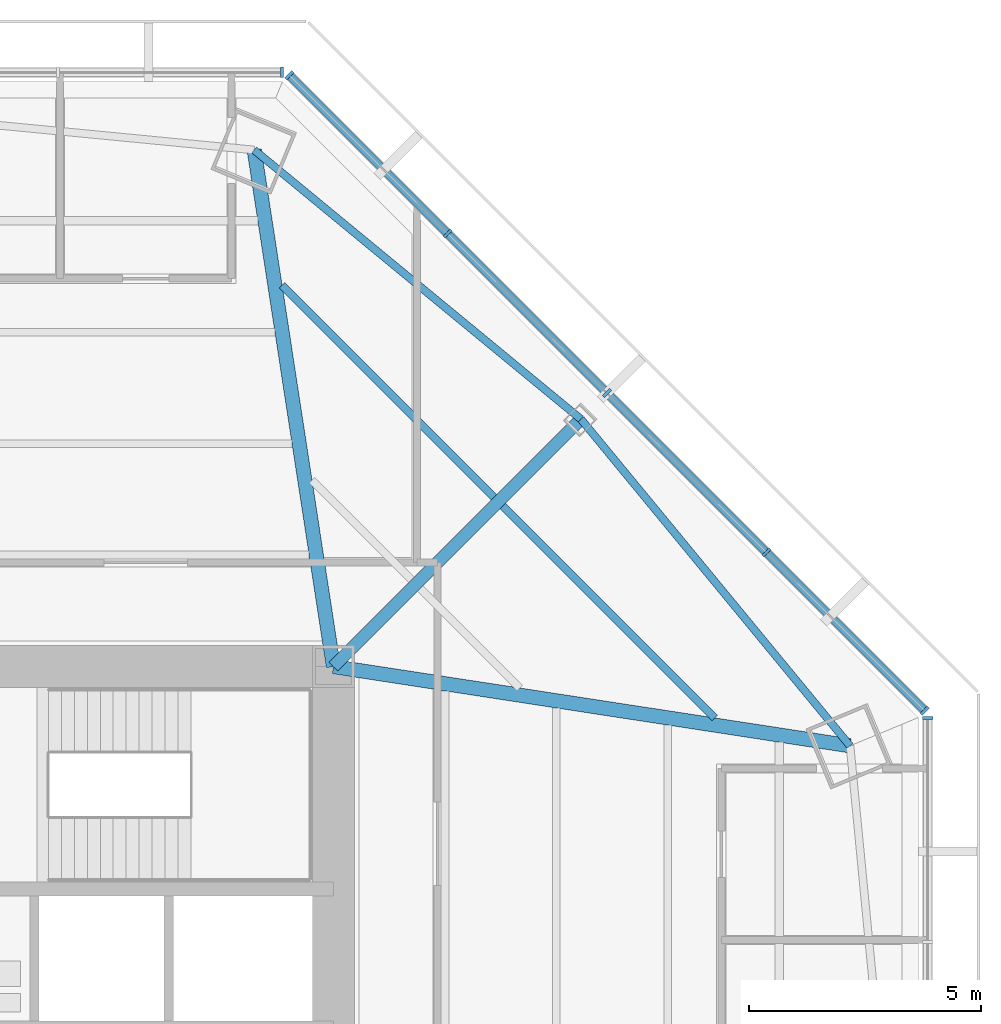
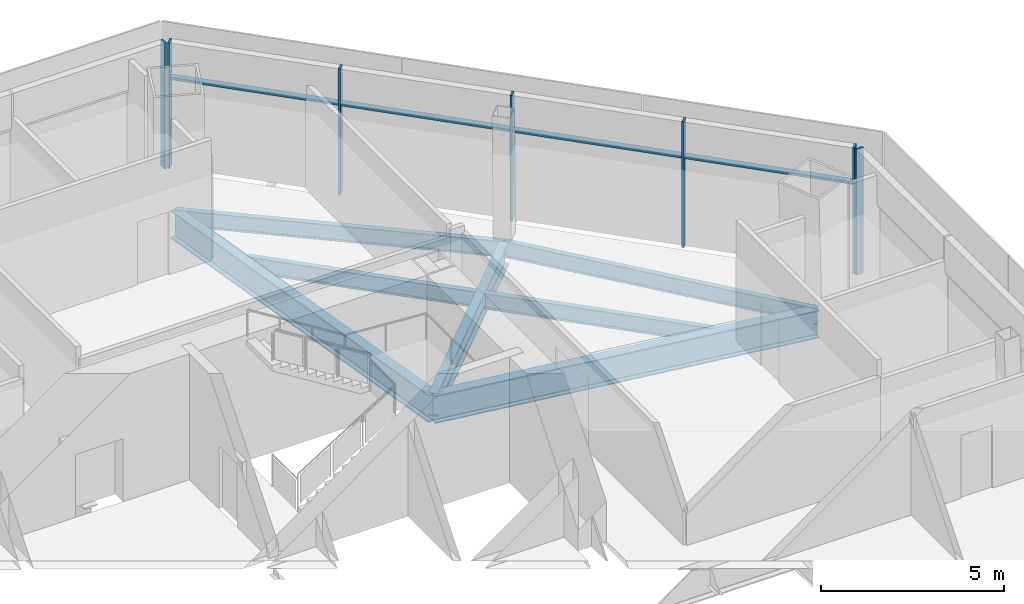
# One storey, part 6 of 15: 11 members, 7 beams, 3 elements without a shape of their own.
"""IFC4 building model written with IfcOpenShell, lengths in metres."""

import ifcopenshell
import ifcopenshell.guid

model = None  # the IFC model being written
_history = None  # IfcOwnerHistory: only IFC2X3 demands one
_inside = {}  # id of a spatial element -> (the spatial element, [elements in it])
_under = {}  # id of a project, library or spatial element -> (it, [spatial elements below it])
_declared = {}  # id of a project -> (the project, [libraries it declares])
_typed = {}  # id of a type object -> (the type object, [elements of that type])
_made_of = {}  # id of a material, layer set ... -> (it, [elements and type objects made of it])


def new_model(schema):
    """Start an empty IFC model of exactly this schema.

    Asked for "IFC4X3", IfcOpenShell would pick the latest addendum, in which some entities
    have other attributes; the version numbers below select the first issue.
    IFC2X3 requires an IfcOwnerHistory on every rooted entity: one is made here for all.
    """
    global model, _history
    if schema == "IFC4X3":
        model = ifcopenshell.file(schema_version=(4, 3, 0, 0))
    else:
        model = ifcopenshell.file(schema=schema)
    _inside.clear()
    _under.clear()
    _declared.clear()
    _typed.clear()
    _made_of.clear()
    _history = None
    if model.schema == "IFC2X3":
        org = make("IfcOrganization", Name="unknown")
        user = make(
            "IfcPersonAndOrganization",
            ThePerson=make("IfcPerson", FamilyName="unknown"),
            TheOrganization=org,
        )
        app = make(
            "IfcApplication",
            ApplicationDeveloper=org,
            Version="unknown",
            ApplicationFullName="unknown",
            ApplicationIdentifier="unknown",
        )
        _history = make(
            "IfcOwnerHistory",
            OwningUser=user,
            OwningApplication=app,
            ChangeAction="ADDED",
            CreationDate=0,
        )
    return model


def make(cls, **values):
    """One entity of the class cls with the attributes given. An attribute that is None is left unset."""
    return model.create_entity(
        cls, **{name: value for name, value in values.items() if value is not None}
    )


def rooted(cls, **values):
    """An entity with a GlobalId (a new one), such as an element, a storey or a relation."""
    return make(cls, GlobalId=ifcopenshell.guid.new(), OwnerHistory=_history, **values)


def si_unit(unit_type, name, prefix=None):
    """IfcSIUnit, for example si_unit("LENGTHUNIT", "METRE", prefix="MILLI")."""
    return make("IfcSIUnit", UnitType=unit_type, Prefix=prefix, Name=name)


def assignment(units):
    """IfcUnitAssignment: the units of a project."""
    return None if units is None else make("IfcUnitAssignment", Units=units)


def point(xyz):
    """IfcCartesianPoint."""
    return None if xyz is None else make("IfcCartesianPoint", Coordinates=xyz)


def direction(xyz):
    """IfcDirection."""
    return None if xyz is None else make("IfcDirection", DirectionRatios=xyz)


def frame(location, z_axis=None, x_axis=None):
    """IfcAxis2Placement3D, a coordinate frame: its origin and axes. An axis left out is left unset."""
    return make(
        "IfcAxis2Placement3D",
        Location=point(location),
        Axis=direction(z_axis),
        RefDirection=direction(x_axis),
    )


def frame_2d(location, x_axis=None):
    """IfcAxis2Placement2D, a coordinate frame in the plane: its origin and x axis."""
    return make(
        "IfcAxis2Placement2D", Location=point(location), RefDirection=direction(x_axis)
    )


def origin():
    """The frame at (0, 0, 0) with its axes left unset."""
    return frame((0.0, 0.0, 0.0))


def origin_2d():
    """The frame at (0, 0) in the plane with its x axis left unset."""
    return frame_2d((0.0, 0.0))


def place(relative_to, where):
    """IfcLocalPlacement: puts the frame where relative to a parent placement (None: the world)."""
    return make(
        "IfcLocalPlacement", PlacementRelTo=relative_to, RelativePlacement=where
    )


def context(
    kind, dimensions, precision=None, world=None, true_north=None, identifier=None
):
    """IfcGeometricRepresentationContext, for example the 3D "Model" context."""
    return make(
        "IfcGeometricRepresentationContext",
        ContextIdentifier=identifier,
        ContextType=kind,
        CoordinateSpaceDimension=dimensions,
        Precision=precision,
        WorldCoordinateSystem=world,
        TrueNorth=true_north,
    )


def subcontext(parent, identifier, kind, view, scale=None):
    """IfcGeometricRepresentationSubContext, for example "Body" below "Model"."""
    return make(
        "IfcGeometricRepresentationSubContext",
        ContextIdentifier=identifier,
        ContextType=kind,
        ParentContext=parent,
        TargetScale=scale,
        TargetView=view,
    )


def project(units=None, contexts=None):
    """IfcProject with its units and contexts."""
    return rooted(
        "IfcProject",
        Name="project",
        RepresentationContexts=contexts,
        UnitsInContext=assignment(units),
    )


def spatial(cls, under=None, at=None, **own):
    """A site, building, storey or space (cls), placed at a placement, below another one or the project."""
    s = rooted(cls, ObjectPlacement=at, **own)
    if under is not None:
        _under.setdefault(under.id(), (under, []))[1].append(s)
    return s


def profile(cls, at=None, kind="AREA", **sizes):
    """A parametric profile (cls). Its sizes go by their IFC names, for example OverallWidth=200.0."""
    return make(cls, ProfileType=kind, Position=at, **sizes)


def rectangle(**sizes):
    """IfcRectangleProfileDef."""
    return profile("IfcRectangleProfileDef", **sizes)


def i_section(**sizes):
    """IfcIShapeProfileDef."""
    return profile("IfcIShapeProfileDef", **sizes)


def extrude(swept, where, along, depth):
    """IfcExtrudedAreaSolid: the profile swept, set in the frame where, extruded along a direction by depth."""
    return make(
        "IfcExtrudedAreaSolid",
        SweptArea=swept,
        Position=where,
        ExtrudedDirection=direction(along),
        Depth=depth,
    )


def shape(context_of_items, identifier, shape_type, items):
    """IfcShapeRepresentation: the items that make up one representation, for example the "Body"."""
    return make(
        "IfcShapeRepresentation",
        ContextOfItems=context_of_items,
        RepresentationIdentifier=identifier,
        RepresentationType=shape_type,
        Items=items,
    )


def source(mapping_origin, context_of_items, identifier, shape_type, items):
    """IfcRepresentationMap: a shape defined once, which mapped items show again and again."""
    return make(
        "IfcRepresentationMap",
        MappingOrigin=mapping_origin,
        MappedRepresentation=shape(context_of_items, identifier, shape_type, items),
    )


def transform(
    local_origin,
    x_axis=None,
    y_axis=None,
    z_axis=None,
    scale=None,
    scale2=None,
    scale3=None,
    uniform=True,
):
    """IfcCartesianTransformationOperator3D, or its non-uniform kind. x_axis, y_axis, z_axis: its Axis1, 2, 3."""
    if uniform:
        return make(
            "IfcCartesianTransformationOperator3D",
            Axis1=direction(x_axis),
            Axis2=direction(y_axis),
            LocalOrigin=point(local_origin),
            Scale=scale,
            Axis3=direction(z_axis),
        )
    return make(
        "IfcCartesianTransformationOperator3DnonUniform",
        Axis1=direction(x_axis),
        Axis2=direction(y_axis),
        LocalOrigin=point(local_origin),
        Scale=scale,
        Axis3=direction(z_axis),
        Scale2=scale2,
        Scale3=scale3,
    )


def mapped(mapping_source, mapping_target):
    """IfcMappedItem: shows the shape of a source again, moved by a transform."""
    return make(
        "IfcMappedItem", MappingSource=mapping_source, MappingTarget=mapping_target
    )


def material(Name=None, Category=None):
    """IfcMaterial."""
    return make("IfcMaterial", Name=Name, Category=Category)


def material_profile(
    of_material, cross_section, Name=None, Category=None, Priority=None
):
    """IfcMaterialProfile: a cross section and its material."""
    return make(
        "IfcMaterialProfile",
        Name=Name,
        Material=of_material,
        Profile=cross_section,
        Priority=Priority,
        Category=Category,
    )


def profile_set(profiles, Name=None, composite=None):
    """IfcMaterialProfileSet."""
    return make(
        "IfcMaterialProfileSet",
        Name=Name,
        MaterialProfiles=profiles,
        CompositeProfile=composite,
    )


def made_of(thing, what):
    """Note that an element or type object is made of a material, layer set ...; save() writes the relation."""
    if what is not None:
        _made_of.setdefault(what.id(), (what, []))[1].append(thing)
    return thing


def type_object(cls, material=None, **own):
    """A type object (cls), such as IfcWallType, which elements share."""
    return made_of(rooted(cls, **own), material)


def type_shapes(of_type, sources):
    """Give a type object the sources (RepresentationMaps) that its elements show as mapped items."""
    of_type.RepresentationMaps = sources


def element(
    cls,
    number,
    at=None,
    inside=None,
    cuts=None,
    type_object=None,
    material=None,
    context=None,
    identifier="Body",
    shape_type=None,
    held_by="IfcProductDefinitionShape",
    body=None,
    shapes=None,
    **own,
):
    """One element of the class cls, such as IfcWall. Its Tag is "e" and its number.

    at: its placement. inside: the storey or other place that contains it. cuts: it is an
    opening in that element (IfcRelVoidsElement). A single representation is given by context,
    identifier, shape_type and body (its items); several are given by shapes. held_by: the class
    of the entity that holds the representations. save() writes the other relations.
    """
    e = rooted(cls, Tag="e%d" % number, ObjectPlacement=at, **own)
    if body is not None:
        shapes = [shape(context, identifier, shape_type, body)]
    if shapes is not None:
        e.Representation = make(held_by, Representations=shapes)
    if inside is not None:
        _inside.setdefault(inside.id(), (inside, []))[1].append(e)
    if cuts is not None:
        rooted(
            "IfcRelVoidsElement", RelatingBuildingElement=cuts, RelatedOpeningElement=e
        )
    if type_object is not None:
        _typed.setdefault(type_object.id(), (type_object, []))[1].append(e)
    return made_of(e, material)


def aggregate(whole, parts):
    """IfcRelAggregates: a whole, such as a stair, and the parts it consists of."""
    return rooted("IfcRelAggregates", RelatingObject=whole, RelatedObjects=parts)


def save(model, path):
    """Write the relations noted so far, then the file.

    IfcRelAggregates (storeys below a building ...), IfcRelContainedInSpatialStructure (elements
    in a storey), IfcRelDefinesByType, IfcRelAssociatesMaterial and IfcRelDeclares: one each for
    every whole, place, type object, material and project.
    """
    for whole, parts in _under.values():
        aggregate(whole, parts)
    for where, things in _inside.values():
        rooted(
            "IfcRelContainedInSpatialStructure",
            RelatedElements=things,
            RelatingStructure=where,
        )
    for kind, things in _typed.values():
        rooted("IfcRelDefinesByType", RelatedObjects=things, RelatingType=kind)
    for what, things in _made_of.values():
        rooted("IfcRelAssociatesMaterial", RelatedObjects=things, RelatingMaterial=what)
    for by, libraries in _declared.values():
        rooted("IfcRelDeclares", RelatingContext=by, RelatedDefinitions=libraries)
    model.write(path)


model = new_model("IFC4")

# Units and contexts
model_context = context("Model", 3, precision=1e-05, world=origin(), true_north=direction((0.0, 1.0)))
body_context = subcontext(model_context, "Body", "Model", "MODEL_VIEW")
ifc_project = project(units=[si_unit("LENGTHUNIT", "METRE"), si_unit("AREAUNIT", "SQUARE_METRE"), si_unit("VOLUMEUNIT", "CUBIC_METRE"), si_unit("PLANEANGLEUNIT", "RADIAN"), si_unit("MASSUNIT", "GRAM", prefix="KILO")], contexts=[model_context])

# Site, building, storey
site_placement = place(None, origin())
site = spatial("IfcSite", under=ifc_project, at=site_placement, CompositionType="ELEMENT")
building_placement = place(site_placement, origin())
building = spatial("IfcBuilding", under=site, at=building_placement, Name="Mashrafa Tower", CompositionType="ELEMENT")
storey_placement = place(building_placement, frame((0.0, 0.0, 155.39990234375)))
storey = spatial("IfcBuildingStorey", under=building, at=storey_placement, Name="L35", CompositionType="ELEMENT", Elevation=155.39990234375)

# Beams
ifc_material_1 = material(Name="Steel ASTM A992", Category="steel")
ifc_material_profile_1 = material_profile(ifc_material_1, i_section(OverallWidth=0.1650390625, OverallDepth=0.52587890625, WebThickness=0.0087890625, FlangeThickness=0.011474609375, FilletRadius=0.0126953125, at=origin_2d()), Name="W21X44")
ifc_profile_set_1 = profile_set([ifc_material_profile_1], Name="Steel ASTM A992")
beam_type_1 = type_object("IfcBeamType", Name="Beam W21X44", PredefinedType="BEAM", material=ifc_profile_set_1)
for number, where, z_axis, x_axis, name in (
    (1, (9.693603515625, 19.0244140625, -0.427734375), (0.707106781187, -0.707106781187, 0.0), (0.707106781187, 0.707106781187, 0.0), "Floor beam L35 030"),
    (2, (14.453369140625, 14.2646484375, -0.427734375), (0.707106781187, -0.707106781187, 0.0), (0.707106781187, 0.707106781187, 0.0), "Floor beam L35 040"),
):
    element("IfcBeam", number, at=place(storey_placement, frame(where, z_axis=z_axis, x_axis=x_axis)), inside=storey, type_object=beam_type_1, Name=name, PredefinedType="BEAM", context=body_context, shape_type="SweptSolid", body=[
        extrude(i_section(OverallWidth=0.1650390625, OverallDepth=0.52587890625, WebThickness=0.0087890625, FlangeThickness=0.011474609375, FilletRadius=0.0126953125, at=origin_2d()), origin(), (0.0, 0.0, 1.0), 6.46435546875),
    ])
for number, where, z_axis, x_axis, name in (
    (3, (16.138427734375, 16.138427734375, -0.427734375), (-0.771816010297, 0.635845929647, 0.0), (-0.635845929647, -0.771816010297, 0.0), "Spandrel beam L35 077"),
    (4, (21.945068359375, 9.090087890625, -0.427734375), (-0.635845929647, 0.771816010297, 0.0), (-0.771816010297, -0.635845929647, 0.0), "Spandrel beam L35 079"),
):
    element("IfcBeam", number, at=place(storey_placement, frame(where, z_axis=z_axis, x_axis=x_axis)), inside=storey, type_object=beam_type_1, Name=name, PredefinedType="BEAM", context=body_context, shape_type="SweptSolid", body=[
        extrude(i_section(OverallWidth=0.1650390625, OverallDepth=0.52587890625, WebThickness=0.0087890625, FlangeThickness=0.011474609375, FilletRadius=0.0126953125, at=origin_2d()), origin(), (0.0, 0.0, 1.0), 9.132080078125),
    ])
ifc_material_2 = material(Name="Steel ASTM A992", Category="steel")
ifc_material_profile_2 = material_profile(ifc_material_2, i_section(OverallWidth=0.2666015625, OverallDepth=0.761962890625, WebThickness=0.014404296875, FlangeThickness=0.021484375, FilletRadius=0.0166015625, at=origin_2d()), Name="W30X116")
ifc_profile_set_2 = profile_set([ifc_material_profile_2], Name="Steel ASTM A992")
beam_type_2 = type_object("IfcBeamType", Name="Beam W30X116", PredefinedType="BEAM", material=ifc_profile_set_2)
beam_placement = place(storey_placement, frame((10.800048828125, 10.800048828125, -0.5458984375), z_axis=(0.707106781187, 0.707106781187, 0.0), x_axis=(-0.707106781187, 0.707106781187, 0.0)))
element("IfcBeam", 5, at=beam_placement, inside=storey, type_object=beam_type_2, Name="Radial girder L35 063", PredefinedType="BEAM", context=body_context, shape_type="SweptSolid", body=[
    extrude(i_section(OverallWidth=0.2666015625, OverallDepth=0.761962890625, WebThickness=0.014404296875, FlangeThickness=0.021484375, FilletRadius=0.0166015625, at=origin_2d()), origin(), (0.0, 0.0, 1.0), 7.549560546875),
])
ifc_material_3 = material(Name="Steel ASTM A992", Category="steel")
ifc_material_profile_3 = material_profile(ifc_material_3, i_section(OverallWidth=0.307373046875, OverallDepth=0.927001953125, WebThickness=0.01953125, FlangeThickness=0.031982421875, FilletRadius=0.01904296875, at=origin_2d()), Name="W36X194")
ifc_profile_set_3 = profile_set([ifc_material_profile_3], Name="Steel ASTM A992")
beam_type_3 = type_object("IfcBeamType", Name="Beam W36X194", PredefinedType="BEAM", material=ifc_profile_set_3)
for number, where, z_axis, x_axis, name in (
    (6, (10.800048828125, 10.800048828125, -0.62841796875), (-0.151653660293, 0.988433693942, 0.0), (-0.988433693942, -0.151653660293, 0.0), "Radial girder L35 062"),
    (7, (10.800048828125, 10.800048828125, -0.62841796875), (0.988433693942, -0.151653660293, 0.0), (0.151653660293, 0.988433693942, 0.0), "Radial girder L35 064"),
):
    element("IfcBeam", number, at=place(storey_placement, frame(where, z_axis=z_axis, x_axis=x_axis)), inside=storey, type_object=beam_type_3, Name=name, PredefinedType="BEAM", context=body_context, shape_type="SweptSolid", body=[
        extrude(i_section(OverallWidth=0.307373046875, OverallDepth=0.927001953125, WebThickness=0.01953125, FlangeThickness=0.031982421875, FilletRadius=0.01904296875, at=origin_2d()), origin(), (0.0, 0.0, 1.0), 11.275390625),
    ])

# Curtain wall, member
ifc_material_4 = material(Name="Unitised aluminium curtain wall", Category="aluminium")
curtain_wall_type = type_object("IfcCurtainWallType", Name="Office curtain wall, zone 2 CW-B 225 deep", PredefinedType="NOTDEFINED", material=ifc_material_4)
curtain_wall_1_placement = place(storey_placement, origin())
curtain_wall_1 = element("IfcCurtainWall", 8, at=curtain_wall_1_placement, inside=storey, type_object=curtain_wall_type, Name="Office curtain wall, zone 2 L35 east", PredefinedType="NOTDEFINED")
ifc_material_5 = material(Name="Extruded aluminium mullion", Category="aluminium")
ifc_material_profile_4 = material_profile(ifc_material_5, rectangle(XDim=0.22509765625, YDim=0.06494140625, at=origin_2d()), Name="Mullion 65x225")
ifc_profile_set_4 = profile_set([ifc_material_profile_4], Name="Extruded aluminium mullion")
member_type_1 = type_object("IfcMemberType", Name="Mullion CW-B 65 x 225", PredefinedType="MULLION", material=ifc_profile_set_4)
shared_shape_1 = source(origin(), body_context, "Body", "SweptSolid", [
    extrude(rectangle(XDim=0.22509765625, YDim=0.06494140625, at=origin_2d()), origin(), (0.0, 0.0, 1.0), 4.2001953125),
])
type_shapes(member_type_1, [shared_shape_1])
member_1_placement = place(storey_placement, frame((23.61865234375, 9.694091796875, 0.0), z_axis=(0.0, 0.0, 1.0), x_axis=(-1.0, 0.0, 0.0)))
member_1 = element("IfcMember", 9, at=member_1_placement, type_object=member_type_1, Name="CW-B mullion 5", PredefinedType="MULLION", context=body_context, shape_type="MappedRepresentation", body=[
    mapped(shared_shape_1, transform((0.0, 0.0, 0.0))),
])
aggregate(curtain_wall_1, [member_1])

# Curtain wall, members
curtain_wall_2_placement = place(storey_placement, origin())
curtain_wall_2 = element("IfcCurtainWall", 10, at=curtain_wall_2_placement, inside=storey, type_object=curtain_wall_type, Name="Office curtain wall, zone 2 L35 north-east", PredefinedType="NOTDEFINED")
member_2_placement = place(storey_placement, frame((23.5556640625, 9.84619140625, 0.0), z_axis=(0.0, 0.0, 1.0), x_axis=(-0.707106781187, -0.707106781187, 0.0)))
member_2 = element("IfcMember", 11, at=member_2_placement, type_object=member_type_1, Name="CW-B mullion 1", PredefinedType="MULLION", context=body_context, shape_type="MappedRepresentation", body=[
    mapped(shared_shape_1, transform((0.0, 0.0, 0.0))),
])
member_3_placement = place(storey_placement, frame((20.139892578125, 13.261962890625, 0.0), z_axis=(0.0, 0.0, 1.0), x_axis=(-0.707106781187, -0.707106781187, 0.0)))
member_3 = element("IfcMember", 12, at=member_3_placement, type_object=member_type_1, Name="CW-B mullion 2", PredefinedType="MULLION", context=body_context, shape_type="MappedRepresentation", body=[
    mapped(shared_shape_1, transform((0.0, 0.0, 0.0))),
])
member_4_placement = place(storey_placement, frame((16.700927734375, 16.700927734375, 0.0), z_axis=(0.0, 0.0, 1.0), x_axis=(-0.707106781187, -0.707106781187, 0.0)))
member_4 = element("IfcMember", 13, at=member_4_placement, type_object=member_type_1, Name="CW-B mullion 3", PredefinedType="MULLION", context=body_context, shape_type="MappedRepresentation", body=[
    mapped(shared_shape_1, transform((0.0, 0.0, 0.0))),
])
member_5_placement = place(storey_placement, frame((13.261962890625, 20.139892578125, 0.0), z_axis=(0.0, 0.0, 1.0), x_axis=(-0.707106781187, -0.707106781187, 0.0)))
member_5 = element("IfcMember", 14, at=member_5_placement, type_object=member_type_1, Name="CW-B mullion 4", PredefinedType="MULLION", context=body_context, shape_type="MappedRepresentation", body=[
    mapped(shared_shape_1, transform((0.0, 0.0, 0.0))),
])
member_6_placement = place(storey_placement, frame((9.84619140625, 23.5556640625, 0.0), z_axis=(0.0, 0.0, 1.0), x_axis=(-0.707106781187, -0.707106781187, 0.0)))
member_6 = element("IfcMember", 15, at=member_6_placement, type_object=member_type_1, Name="CW-B mullion 5", PredefinedType="MULLION", context=body_context, shape_type="MappedRepresentation", body=[
    mapped(shared_shape_1, transform((0.0, 0.0, 0.0))),
])

# Curtain wall, member
curtain_wall_3_placement = place(storey_placement, origin())
curtain_wall_3 = element("IfcCurtainWall", 16, at=curtain_wall_3_placement, inside=storey, type_object=curtain_wall_type, Name="Office curtain wall, zone 2 L35 north", PredefinedType="NOTDEFINED")
member_7_placement = place(storey_placement, frame((9.694091796875, 23.61865234375, 0.0), z_axis=(0.0, 0.0, 1.0), x_axis=(0.0, -1.0, 0.0)))
member_7 = element("IfcMember", 17, at=member_7_placement, type_object=member_type_1, Name="CW-B mullion 1", PredefinedType="MULLION", context=body_context, shape_type="MappedRepresentation", body=[
    mapped(shared_shape_1, transform((0.0, 0.0, 0.0))),
])
aggregate(curtain_wall_3, [member_7])

# Member
ifc_material_6 = material(Name="Extruded aluminium transom", Category="aluminium")
ifc_material_profile_5 = material_profile(ifc_material_6, rectangle(XDim=0.179931640625, YDim=0.080078125, at=origin_2d()), Name="Transom 80x180")
ifc_profile_set_5 = profile_set([ifc_material_profile_5], Name="Extruded aluminium transom")
member_type_2 = type_object("IfcMemberType", Name="Transom CW-B 80 x 180", PredefinedType="MULLION", material=ifc_profile_set_5)
shared_shape_2 = source(origin(), body_context, "Body", "SweptSolid", [
    extrude(rectangle(XDim=0.179931640625, YDim=0.080078125, at=origin_2d()), origin(), (0.0, 0.0, 1.0), 4.765625),
])
member_8_placement = place(storey_placement, frame((23.53271484375, 9.869140625, 3.0), z_axis=(-0.707106781187, 0.707106781187, 0.0), x_axis=(-0.707106781187, -0.707106781187, 0.0)))
member_8 = element("IfcMember", 18, at=member_8_placement, type_object=member_type_2, Name="CW-B transom 1", PredefinedType="MULLION", context=body_context, shape_type="MappedRepresentation", body=[
    mapped(shared_shape_2, transform((0.0, 0.0, 0.0))),
])

member_9_placement = place(storey_placement, frame((13.239013671875, 20.162841796875, 3.0), z_axis=(-0.707106781187, 0.707106781187, 0.0), x_axis=(-0.707106781187, -0.707106781187, 0.0)))
member_9 = element("IfcMember", 19, at=member_9_placement, type_object=member_type_2, Name="CW-B transom 4", PredefinedType="MULLION", context=body_context, shape_type="MappedRepresentation", body=[
    mapped(shared_shape_2, transform((0.0, 0.0, 0.0))),
])

shared_shape_3 = source(origin(), body_context, "Body", "SweptSolid", [
    extrude(rectangle(XDim=0.179931640625, YDim=0.080078125, at=origin_2d()), origin(), (0.0, 0.0, 1.0), 4.798095703125),
])
type_shapes(member_type_2, [shared_shape_2, shared_shape_3])
member_10_placement = place(storey_placement, frame((20.11669921875, 13.28515625, 3.0), z_axis=(-0.707106781187, 0.707106781187, 0.0), x_axis=(-0.707106781187, -0.707106781187, 0.0)))
member_10 = element("IfcMember", 20, at=member_10_placement, type_object=member_type_2, Name="CW-B transom 2", PredefinedType="MULLION", context=body_context, shape_type="MappedRepresentation", body=[
    mapped(shared_shape_3, transform((0.0, 0.0, 0.0))),
])

member_11_placement = place(storey_placement, frame((16.677978515625, 16.723876953125, 3.0), z_axis=(-0.707106781187, 0.707106781187, 0.0), x_axis=(-0.707106781187, -0.707106781187, 0.0)))
member_11 = element("IfcMember", 21, at=member_11_placement, type_object=member_type_2, Name="CW-B transom 3", PredefinedType="MULLION", context=body_context, shape_type="MappedRepresentation", body=[
    mapped(shared_shape_3, transform((0.0, 0.0, 0.0))),
])

aggregate(curtain_wall_2, [member_2, member_3, member_4, member_5, member_6, member_8, member_10, member_11, member_9])

save(model, "model.ifc")
